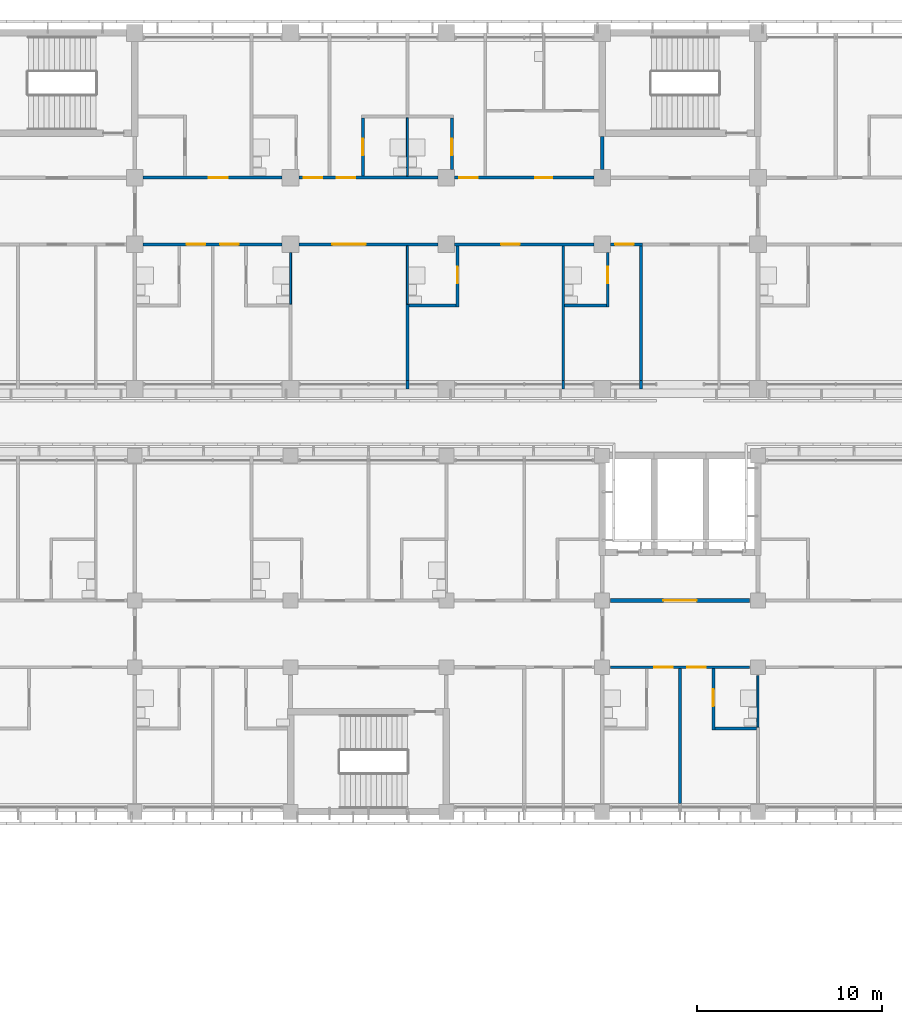
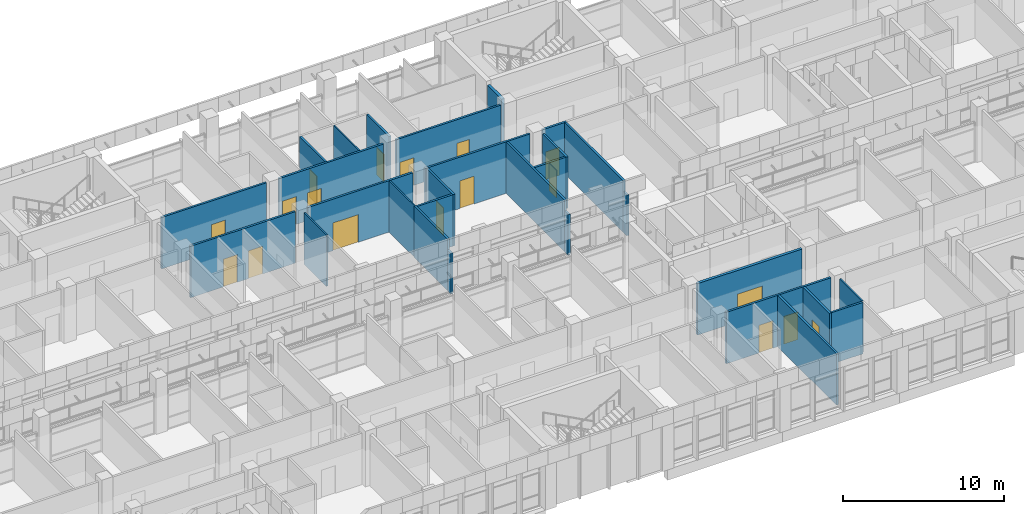
# One storey, part 81 of 137: 29 walls, 18 doors, 18 openings.
"""IFC4 building model written with IfcOpenShell, lengths in metres."""

from ifc_helpers import new_model, si_unit, direction, frame, frame_2d, origin, place, context, subcontext, project, spatial, rectangle, extrude, material, layer, layer_set, type_object, element, fill, save


model = new_model("IFC4")

# Units and contexts
model_context = context("Model", 3, precision=1e-05, world=origin(), true_north=direction((0.0, 1.0)))
body_context = subcontext(model_context, "Body", "Model", "MODEL_VIEW")
ifc_project = project(units=[si_unit("LENGTHUNIT", "METRE"), si_unit("AREAUNIT", "SQUARE_METRE"), si_unit("VOLUMEUNIT", "CUBIC_METRE"), si_unit("PLANEANGLEUNIT", "RADIAN"), si_unit("MASSUNIT", "GRAM", prefix="KILO")], contexts=[model_context])

# Site, building, storey
site_placement = place(None, origin())
site = spatial("IfcSite", under=ifc_project, at=site_placement, CompositionType="ELEMENT")
building_placement = place(site_placement, origin())
building = spatial("IfcBuilding", under=site, at=building_placement, Name="Bougainvillea Quay General Hospital", CompositionType="ELEMENT")
storey_placement = place(building_placement, frame((0.0, 0.0, 16.800048828125)))
storey = spatial("IfcBuildingStorey", under=building, at=storey_placement, Name="L03", CompositionType="ELEMENT", Elevation=16.800048828125)

# Walls
ifc_material_1 = material(Name="Gypsum board partition on steel studs", Category="steel")
ifc_layer_1 = layer(ifc_material_1, 0.10009765625)
ifc_layer_set_1 = layer_set([ifc_layer_1], Name="Gypsum board partition on steel studs")
wall_type_1 = type_object("IfcWallType", Name="Partition 100 Gypsum board partition", PredefinedType="PARTITIONING", material=ifc_layer_set_1)
for number, where, z_axis, x_axis, name in (
    (1, (142.800048828125, 122.175048828125, 0.0), (0.0, 0.0, 1.0), (0.0, 1.0, 0.0), "Partition 100 mm"),
    (2, (117.60009765625, 144.97509765625, 0.0), (0.0, 0.0, 1.0), (0.0, 1.0, 0.0), "Partition 100 mm"),
):
    element("IfcWall", number, at=place(storey_placement, frame(where, z_axis=z_axis, x_axis=x_axis)), inside=storey, type_object=wall_type_1, Name=name, PredefinedType="PARTITIONING", context=body_context, shape_type="SweptSolid", body=[
        extrude(rectangle(XDim=2.77490234375, YDim=0.10009765625, at=frame_2d((1.387451171875, 0.0))), origin(), (0.0, 0.0, 1.0), 3.89990234375),
    ])
for number, where, z_axis, x_axis, name in (
    (3, (123.89990234375, 144.97509765625, 0.0), (0.0, 0.0, 1.0), (0.0, 1.0, 0.0), "Partition 100 mm"),
    (4, (123.89990234375, 151.875, 0.0), (0.0, 0.0, 1.0), (0.0, 1.0, 0.0), "Partition 100 mm"),
):
    element("IfcWall", number, at=place(storey_placement, frame(where, z_axis=z_axis, x_axis=x_axis)), inside=storey, type_object=wall_type_1, Name=name, PredefinedType="PARTITIONING", context=body_context, shape_type="SweptSolid", body=[
        extrude(rectangle(XDim=3.14990234375, YDim=0.10009765625, at=frame_2d((1.574951171875, 0.0))), origin(), (0.0, 0.0, 1.0), 3.89990234375),
    ])
ifc_material_2 = material(Name="Gypsum board partition on steel studs, insulated", Category="steel")
ifc_layer_2 = layer(ifc_material_2, 0.14990234375)
ifc_layer_set_2 = layer_set([ifc_layer_2], Name="Gypsum board partition on steel studs, insulated")
wall_type_2 = type_object("IfcWallType", Name="Partition 150 Gypsum board partition", PredefinedType="PARTITIONING", material=ifc_layer_set_2)
wall_1_placement = place(storey_placement, frame((138.60009765625, 118.050048828125, 0.0), z_axis=(0.0, 0.0, 1.0), x_axis=(0.0, 1.0, 0.0)))
element("IfcWall", 5, at=wall_1_placement, inside=storey, type_object=wall_type_2, Name="Partition 150 mm", PredefinedType="PARTITIONING", context=body_context, shape_type="SweptSolid", body=[
    extrude(rectangle(XDim=7.27490234375, YDim=0.14990234375, at=frame_2d((3.637451171875, 0.0))), origin(), (0.0, 0.0, 1.0), 3.89990234375),
])
wall_2_placement = place(storey_placement, frame((132.300048828125, 140.39990234375, 0.0), z_axis=(0.0, 0.0, 1.0), x_axis=(0.0, 1.0, 0.0)))
element("IfcWall", 6, at=wall_2_placement, inside=storey, type_object=wall_type_2, Name="Partition 150 mm", PredefinedType="PARTITIONING", context=body_context, shape_type="SweptSolid", body=[
    extrude(rectangle(XDim=0.4501953125, YDim=0.14990234375, at=frame_2d((0.22509765625, 0.0))), origin(), (0.0, 0.0, 1.0), 3.079833984375),
])
wall_3_placement = place(storey_placement, frame((132.300048828125, 140.85009765625, 0.0), z_axis=(0.0, 0.0, 1.0), x_axis=(0.0, 1.0, 0.0)))
element("IfcWall", 7, at=wall_3_placement, inside=storey, type_object=wall_type_2, Name="Partition 150 mm", PredefinedType="PARTITIONING", context=body_context, shape_type="SweptSolid", body=[
    extrude(rectangle(XDim=7.27490234375, YDim=0.14990234375, at=frame_2d((3.637451171875, 0.0))), origin(), (0.0, 0.0, 1.0), 3.89990234375),
])
wall_4_placement = place(storey_placement, frame((136.5, 140.39990234375, 0.0), z_axis=(0.0, 0.0, 1.0), x_axis=(0.0, 1.0, 0.0)))
element("IfcWall", 8, at=wall_4_placement, inside=storey, type_object=wall_type_2, Name="Partition 150 mm", PredefinedType="PARTITIONING", context=body_context, shape_type="SweptSolid", body=[
    extrude(rectangle(XDim=0.4501953125, YDim=0.14990234375, at=frame_2d((0.22509765625, 0.0))), origin(), (0.0, 0.0, 1.0), 3.079833984375),
])
wall_5_placement = place(storey_placement, frame((136.5, 140.85009765625, 0.0), z_axis=(0.0, 0.0, 1.0), x_axis=(0.0, 1.0, 0.0)))
element("IfcWall", 9, at=wall_5_placement, inside=storey, type_object=wall_type_2, Name="Partition 150 mm", PredefinedType="PARTITIONING", context=body_context, shape_type="SweptSolid", body=[
    extrude(rectangle(XDim=7.27490234375, YDim=0.14990234375, at=frame_2d((3.637451171875, 0.0))), origin(), (0.0, 0.0, 1.0), 3.89990234375),
])
wall_6_placement = place(storey_placement, frame((123.89990234375, 140.39990234375, 0.0), z_axis=(0.0, 0.0, 1.0), x_axis=(0.0, 1.0, 0.0)))
element("IfcWall", 10, at=wall_6_placement, inside=storey, type_object=wall_type_2, Name="Partition 150 mm", PredefinedType="PARTITIONING", context=body_context, shape_type="SweptSolid", body=[
    extrude(rectangle(XDim=0.4501953125, YDim=0.14990234375, at=frame_2d((0.22509765625, 0.0))), origin(), (0.0, 0.0, 1.0), 3.079833984375),
])
wall_7_placement = place(storey_placement, frame((123.89990234375, 140.85009765625, 0.0), z_axis=(0.0, 0.0, 1.0), x_axis=(0.0, 1.0, 0.0)))
element("IfcWall", 11, at=wall_7_placement, inside=storey, type_object=wall_type_2, Name="Partition 150 mm", PredefinedType="PARTITIONING", context=body_context, shape_type="SweptSolid", body=[
    extrude(rectangle(XDim=4.125, YDim=0.14990234375, at=frame_2d((2.0625, 0.0))), origin(), (0.0, 0.0, 1.0), 3.89990234375),
])

# Wall, opening, door
wall_8_placement = place(storey_placement, frame((140.39990234375, 122.02490234375, 0.0), z_axis=(0.0, 0.0, 1.0), x_axis=(0.0, 1.0, 0.0)))
wall_8 = element("IfcWall", 12, at=wall_8_placement, inside=storey, type_object=wall_type_2, Name="Partition 150 mm", PredefinedType="PARTITIONING", context=body_context, shape_type="SweptSolid", body=[
    extrude(rectangle(XDim=3.300048828125, YDim=0.14990234375, at=frame_2d((1.64990234375, 0.0))), origin(), (0.0, 0.0, 1.0), 3.89990234375),
])
opening_1_placement = place(wall_8_placement, frame((1.27490234375, 0.0, 0.0)))
opening_1 = element("IfcOpeningElement", 13, at=opening_1_placement, cuts=wall_8, Name="Opening L03.118", PredefinedType="OPENING", context=body_context, shape_type="SweptSolid", body=[
    extrude(rectangle(XDim=0.89990234375, YDim=2.10009765625, at=frame_2d((0.449951171875, 1.050048828125))), frame((0.0, 0.0849609375, 0.0), z_axis=(0.0, -1.0, 0.0), x_axis=(1.0, 0.0, 0.0)), (0.0, 0.0, 1.0), 0.169921875),
])
ifc_material_3 = material(Name="Solid-core timber door leaf in steel frame", Category="steel")
door_type_1 = type_object("IfcDoorType", Name="Single leaf door 900x2100", OperationType="NOTDEFINED", PredefinedType="DOOR", material=ifc_material_3)
door_1_placement = place(opening_1_placement, frame((0.89990234375, 0.0, 0.0), z_axis=(0.0, 0.0, 1.0), x_axis=(-1.0, 0.0, 0.0)))
door_1 = element("IfcDoor", 14, at=door_1_placement, inside=storey, type_object=door_type_1, Name="DT07 L03.118", OperationType="SINGLE_SWING_LEFT", OverallHeight=2.10009765625, OverallWidth=0.89990234375, PredefinedType="DOOR", context=body_context, shape_type="SweptSolid", body=[
    extrude(rectangle(XDim=0.89990234375, YDim=2.10009765625, at=frame_2d((0.449951171875, 1.050048828125))), frame((0.0, 0.02490234375, 0.0), z_axis=(0.0, -1.0, 0.0), x_axis=(1.0, 0.0, 0.0)), (0.0, 0.0, 1.0), 0.050048828125),
])
fill(opening_1, door_1)

wall_9_placement = place(storey_placement, frame((121.5, 151.875, 0.0), z_axis=(0.0, 0.0, 1.0), x_axis=(0.0, 1.0, 0.0)))
wall_9 = element("IfcWall", 15, at=wall_9_placement, inside=storey, type_object=wall_type_2, Name="Partition 150 mm", PredefinedType="PARTITIONING", context=body_context, shape_type="SweptSolid", body=[
    extrude(rectangle(XDim=3.14990234375, YDim=0.14990234375, at=frame_2d((1.574951171875, 0.0))), origin(), (0.0, 0.0, 1.0), 3.89990234375),
])
opening_2_placement = place(wall_9_placement, frame((1.125, 0.0, 0.0)))
opening_2 = element("IfcOpeningElement", 16, at=opening_2_placement, cuts=wall_9, Name="Opening L03.046", PredefinedType="OPENING", context=body_context, shape_type="SweptSolid", body=[
    extrude(rectangle(XDim=0.89990234375, YDim=2.10009765625, at=frame_2d((0.449951171875, 1.050048828125))), frame((0.0, 0.0849609375, 0.0), z_axis=(0.0, -1.0, 0.0), x_axis=(1.0, 0.0, 0.0)), (0.0, 0.0, 1.0), 0.169921875),
])
door_2_placement = place(opening_2_placement, frame((0.89990234375, 0.0, 0.0), z_axis=(0.0, 0.0, 1.0), x_axis=(-1.0, 0.0, 0.0)))
door_2 = element("IfcDoor", 17, at=door_2_placement, inside=storey, type_object=door_type_1, Name="DT07 L03.046", OperationType="SINGLE_SWING_LEFT", OverallHeight=2.10009765625, OverallWidth=0.89990234375, PredefinedType="DOOR", context=body_context, shape_type="SweptSolid", body=[
    extrude(rectangle(XDim=0.89990234375, YDim=2.10009765625, at=frame_2d((0.449951171875, 1.050048828125))), frame((0.0, 0.02490234375, 0.0), z_axis=(0.0, -1.0, 0.0), x_axis=(1.0, 0.0, 0.0)), (0.0, 0.0, 1.0), 0.050048828125),
])
fill(opening_2, door_2)

wall_10_placement = place(storey_placement, frame((126.300048828125, 152.25, 0.0), z_axis=(0.0, 0.0, 1.0), x_axis=(0.0, 1.0, 0.0)))
wall_10 = element("IfcWall", 18, at=wall_10_placement, inside=storey, type_object=wall_type_2, Name="Partition 150 mm", PredefinedType="PARTITIONING", context=body_context, shape_type="SweptSolid", body=[
    extrude(rectangle(XDim=2.77490234375, YDim=0.14990234375, at=frame_2d((1.387451171875, 0.0))), origin(), (0.0, 0.0, 1.0), 3.89990234375),
])
opening_3_placement = place(wall_10_placement, frame((0.75, 0.0, 0.0)))
opening_3 = element("IfcOpeningElement", 19, at=opening_3_placement, cuts=wall_10, Name="Opening L03.048", PredefinedType="OPENING", context=body_context, shape_type="SweptSolid", body=[
    extrude(rectangle(XDim=0.89990234375, YDim=2.10009765625, at=frame_2d((0.449951171875, 1.050048828125))), frame((0.0, 0.0849609375, 0.0), z_axis=(0.0, -1.0, 0.0), x_axis=(1.0, 0.0, 0.0)), (0.0, 0.0, 1.0), 0.169921875),
])
door_3_placement = place(opening_3_placement, origin())
door_3 = element("IfcDoor", 20, at=door_3_placement, inside=storey, type_object=door_type_1, Name="DT07 L03.048", OperationType="SINGLE_SWING_LEFT", OverallHeight=2.10009765625, OverallWidth=0.89990234375, PredefinedType="DOOR", context=body_context, shape_type="SweptSolid", body=[
    extrude(rectangle(XDim=0.89990234375, YDim=2.10009765625, at=frame_2d((0.449951171875, 1.050048828125))), frame((0.0, 0.02490234375, 0.0), z_axis=(0.0, -1.0, 0.0), x_axis=(1.0, 0.0, 0.0)), (0.0, 0.0, 1.0), 0.050048828125),
])
fill(opening_3, door_3)

wall_11_placement = place(storey_placement, frame((126.60009765625, 144.824951171875, 0.0), z_axis=(0.0, 0.0, 1.0), x_axis=(0.0, 1.0, 0.0)))
wall_11 = element("IfcWall", 21, at=wall_11_placement, inside=storey, type_object=wall_type_2, Name="Partition 150 mm", PredefinedType="PARTITIONING", context=body_context, shape_type="SweptSolid", body=[
    extrude(rectangle(XDim=3.300048828125, YDim=0.14990234375, at=frame_2d((1.64990234375, 0.0))), origin(), (0.0, 0.0, 1.0), 3.89990234375),
])
opening_4_placement = place(wall_11_placement, frame((1.27490234375, 0.0, 0.0)))
opening_4 = element("IfcOpeningElement", 22, at=opening_4_placement, cuts=wall_11, Name="Opening L03.036", PredefinedType="OPENING", context=body_context, shape_type="SweptSolid", body=[
    extrude(rectangle(XDim=0.89990234375, YDim=2.10009765625, at=frame_2d((0.449951171875, 1.050048828125))), frame((0.0, 0.0849609375, 0.0), z_axis=(0.0, -1.0, 0.0), x_axis=(1.0, 0.0, 0.0)), (0.0, 0.0, 1.0), 0.169921875),
])
door_4_placement = place(opening_4_placement, origin())
door_4 = element("IfcDoor", 23, at=door_4_placement, inside=storey, type_object=door_type_1, Name="DT07 L03.036", OperationType="SINGLE_SWING_RIGHT", OverallHeight=2.10009765625, OverallWidth=0.89990234375, PredefinedType="DOOR", context=body_context, shape_type="SweptSolid", body=[
    extrude(rectangle(XDim=0.89990234375, YDim=2.10009765625, at=frame_2d((0.449951171875, 1.050048828125))), frame((0.0, 0.02490234375, 0.0), z_axis=(0.0, -1.0, 0.0), x_axis=(1.0, 0.0, 0.0)), (0.0, 0.0, 1.0), 0.050048828125),
])
fill(opening_4, door_4)

wall_12_placement = place(storey_placement, frame((134.699951171875, 144.824951171875, 0.0), z_axis=(0.0, 0.0, 1.0), x_axis=(0.0, 1.0, 0.0)))
wall_12 = element("IfcWall", 24, at=wall_12_placement, inside=storey, type_object=wall_type_2, Name="Partition 150 mm", PredefinedType="PARTITIONING", context=body_context, shape_type="SweptSolid", body=[
    extrude(rectangle(XDim=2.925048828125, YDim=0.14990234375, at=frame_2d((1.46240234375, 0.0))), origin(), (0.0, 0.0, 1.0), 3.89990234375),
])
opening_5_placement = place(wall_12_placement, frame((1.27490234375, 0.0, 0.0)))
opening_5 = element("IfcOpeningElement", 25, at=opening_5_placement, cuts=wall_12, Name="Opening L03.038", PredefinedType="OPENING", context=body_context, shape_type="SweptSolid", body=[
    extrude(rectangle(XDim=0.89990234375, YDim=2.10009765625, at=frame_2d((0.449951171875, 1.050048828125))), frame((0.0, 0.0849609375, 0.0), z_axis=(0.0, -1.0, 0.0), x_axis=(1.0, 0.0, 0.0)), (0.0, 0.0, 1.0), 0.169921875),
])
door_5_placement = place(opening_5_placement, origin())
door_5 = element("IfcDoor", 26, at=door_5_placement, inside=storey, type_object=door_type_1, Name="DT07 L03.038", OperationType="SINGLE_SWING_RIGHT", OverallHeight=2.10009765625, OverallWidth=0.89990234375, PredefinedType="DOOR", context=body_context, shape_type="SweptSolid", body=[
    extrude(rectangle(XDim=0.89990234375, YDim=2.10009765625, at=frame_2d((0.449951171875, 1.050048828125))), frame((0.0, 0.02490234375, 0.0), z_axis=(0.0, -1.0, 0.0), x_axis=(1.0, 0.0, 0.0)), (0.0, 0.0, 1.0), 0.050048828125),
])
fill(opening_5, door_5)

# Walls
wall_13_placement = place(storey_placement, frame((123.97509765625, 144.89990234375, 0.0), z_axis=(0.0, 0.0, 1.0), x_axis=(1.0, 0.0, 0.0)))
element("IfcWall", 27, at=wall_13_placement, inside=storey, type_object=wall_type_2, Name="Partition 150 mm", PredefinedType="PARTITIONING", context=body_context, shape_type="SweptSolid", body=[
    extrude(rectangle(XDim=2.5498046875, YDim=0.14990234375, at=frame_2d((1.27490234375, 0.0))), origin(), (0.0, 0.0, 1.0), 3.89990234375),
])
for number, where, z_axis, x_axis, name in (
    (28, (140.47509765625, 122.10009765625, 0.0), (0.0, 0.0, 1.0), (1.0, 0.0, 0.0), "Partition 150 mm"),
    (29, (132.375, 144.89990234375, 0.0), (0.0, 0.0, 1.0), (1.0, 0.0, 0.0), "Partition 150 mm"),
):
    element("IfcWall", number, at=place(storey_placement, frame(where, z_axis=z_axis, x_axis=x_axis)), inside=storey, type_object=wall_type_2, Name=name, PredefinedType="PARTITIONING", context=body_context, shape_type="SweptSolid", body=[
        extrude(rectangle(XDim=2.25, YDim=0.14990234375, at=frame_2d((1.125, 0.0))), origin(), (0.0, 0.0, 1.0), 3.89990234375),
    ])

# Wall, opening, door
ifc_layer_3 = layer(ifc_material_2, 0.14990234375)
ifc_layer_set_3 = layer_set([ifc_layer_3], Name="Gypsum board partition on steel studs, insulated")
wall_type_3 = type_object("IfcWallType", Name="Partition 150 Gypsum board partition EI 30", PredefinedType="PARTITIONING", material=ifc_layer_set_3)
wall_14_placement = place(storey_placement, frame((136.574951171875, 148.199951171875, 0.0), z_axis=(0.0, 0.0, 1.0), x_axis=(-1.0, 0.0, 0.0)))
wall_14 = element("IfcWall", 30, at=wall_14_placement, inside=storey, type_object=wall_type_3, Name="Partition 150 mm EI 30", PredefinedType="PARTITIONING", context=body_context, shape_type="SweptSolid", body=[
    extrude(rectangle(XDim=1.724853515625, YDim=0.14990234375, at=frame_2d((0.8623046875, 0.0))), origin(), (0.0, 0.0, 1.0), 3.89990234375),
])
opening_6_placement = place(wall_14_placement, frame((0.47509765625, 0.0, 0.0)))
opening_6 = element("IfcOpeningElement", 31, at=opening_6_placement, cuts=wall_14, Name="Opening L03.037", PredefinedType="OPENING", context=body_context, shape_type="SweptSolid", body=[
    extrude(rectangle(XDim=1.0, YDim=2.10009765625, at=frame_2d((0.5, 1.050048828125))), frame((0.0, 0.0849609375, 0.0), z_axis=(0.0, -1.0, 0.0), x_axis=(1.0, 0.0, 0.0)), (0.0, 0.0, 1.0), 0.169921875),
])
door_type_2 = type_object("IfcDoorType", Name="Single leaf door 1000x2100 FD30S", OperationType="NOTDEFINED", PredefinedType="DOOR", material=ifc_material_3)
door_6_placement = place(opening_6_placement, origin())
door_6 = element("IfcDoor", 32, at=door_6_placement, inside=storey, type_object=door_type_2, Name="DT15 L03.037", OperationType="SINGLE_SWING_RIGHT", OverallHeight=2.10009765625, OverallWidth=1.0, PredefinedType="DOOR", context=body_context, shape_type="SweptSolid", body=[
    extrude(rectangle(XDim=1.0, YDim=2.10009765625, at=frame_2d((0.5, 1.050048828125))), frame((0.0, 0.02490234375, 0.0), z_axis=(0.0, -1.0, 0.0), x_axis=(1.0, 0.0, 0.0)), (0.0, 0.0, 1.0), 0.050048828125),
])
fill(opening_6, door_6)

wall_15_placement = place(storey_placement, frame((133.949951171875, 148.199951171875, 0.0), z_axis=(0.0, 0.0, 1.0), x_axis=(-1.0, 0.0, 0.0)))
wall_15 = element("IfcWall", 33, at=wall_15_placement, inside=storey, type_object=wall_type_3, Name="Partition 150 mm EI 30", PredefinedType="PARTITIONING", context=body_context, shape_type="SweptSolid", body=[
    extrude(rectangle(XDim=7.5, YDim=0.14990234375, at=frame_2d((3.75, 0.0))), origin(), (0.0, 0.0, 1.0), 3.89990234375),
])
opening_7_placement = place(wall_15_placement, frame((4.0, 0.0, 0.0)))
opening_7 = element("IfcOpeningElement", 34, at=opening_7_placement, cuts=wall_15, Name="Opening L03.035", PredefinedType="OPENING", context=body_context, shape_type="SweptSolid", body=[
    extrude(rectangle(XDim=1.0, YDim=2.10009765625, at=frame_2d((0.5, 1.050048828125))), frame((0.0, 0.0849609375, 0.0), z_axis=(0.0, -1.0, 0.0), x_axis=(1.0, 0.0, 0.0)), (0.0, 0.0, 1.0), 0.169921875),
])
door_7_placement = place(opening_7_placement, origin())
door_7 = element("IfcDoor", 35, at=door_7_placement, inside=storey, type_object=door_type_2, Name="DT15 L03.035", OperationType="SINGLE_SWING_RIGHT", OverallHeight=2.10009765625, OverallWidth=1.0, PredefinedType="DOOR", context=body_context, shape_type="SweptSolid", body=[
    extrude(rectangle(XDim=1.0, YDim=2.10009765625, at=frame_2d((0.5, 1.050048828125))), frame((0.0, 0.02490234375, 0.0), z_axis=(0.0, -1.0, 0.0), x_axis=(1.0, 0.0, 0.0)), (0.0, 0.0, 1.0), 0.050048828125),
])
fill(opening_7, door_7)

wall_16_placement = place(storey_placement, frame((125.550048828125, 148.199951171875, 0.0), z_axis=(0.0, 0.0, 1.0), x_axis=(-1.0, 0.0, 0.0)))
wall_16 = element("IfcWall", 36, at=wall_16_placement, inside=storey, type_object=wall_type_3, Name="Partition 150 mm EI 30", PredefinedType="PARTITIONING", context=body_context, shape_type="SweptSolid", body=[
    extrude(rectangle(XDim=7.5, YDim=0.14990234375, at=frame_2d((3.75, 0.0))), origin(), (0.0, 0.0, 1.0), 3.89990234375),
])
opening_8_placement = place(wall_16_placement, frame((3.89990234375, 0.0, 0.0)))
opening_8 = element("IfcOpeningElement", 37, at=opening_8_placement, cuts=wall_16, Name="Opening L03.034", PredefinedType="OPENING", context=body_context, shape_type="SweptSolid", body=[
    extrude(rectangle(XDim=1.800048828125, YDim=2.10009765625, at=frame_2d((0.89990234375, 1.050048828125))), frame((0.0, 0.0849609375, 0.0), z_axis=(0.0, -1.0, 0.0), x_axis=(1.0, 0.0, 0.0)), (0.0, 0.0, 1.0), 0.169921875),
])
ifc_material_4 = material(Name="Solid-core timber door leaves in steel frame", Category="steel")
door_type_3 = type_object("IfcDoorType", Name="Double leaf door 1800x2100 FD30S", OperationType="DOUBLE_DOOR_SINGLE_SWING", PredefinedType="DOOR", material=ifc_material_4)
door_8_placement = place(opening_8_placement, origin())
door_8 = element("IfcDoor", 38, at=door_8_placement, inside=storey, type_object=door_type_3, Name="DT17 L03.034", OperationType="DOUBLE_DOOR_SINGLE_SWING", OverallHeight=2.10009765625, OverallWidth=1.800048828125, PredefinedType="DOOR", context=body_context, shape_type="SweptSolid", body=[
    extrude(rectangle(XDim=1.800048828125, YDim=2.10009765625, at=frame_2d((0.89990234375, 1.050048828125))), frame((0.0, 0.02490234375, 0.0), z_axis=(0.0, -1.0, 0.0), x_axis=(1.0, 0.0, 0.0)), (0.0, 0.0, 1.0), 0.050048828125),
])
fill(opening_8, door_8)

# Wall, openings, doors
wall_17_placement = place(storey_placement, frame((117.14990234375, 148.199951171875, 0.0), z_axis=(0.0, 0.0, 1.0), x_axis=(-1.0, 0.0, 0.0)))
wall_17 = element("IfcWall", 39, at=wall_17_placement, inside=storey, type_object=wall_type_3, Name="Partition 150 mm EI 30", PredefinedType="PARTITIONING", context=body_context, shape_type="SweptSolid", body=[
    extrude(rectangle(XDim=7.5, YDim=0.14990234375, at=frame_2d((3.75, 0.0))), origin(), (0.0, 0.0, 1.0), 3.89990234375),
])
opening_9_placement = place(wall_17_placement, frame((4.14990234375, 0.0, 0.0)))
opening_9 = element("IfcOpeningElement", 40, at=opening_9_placement, cuts=wall_17, Name="Opening L03.030", PredefinedType="OPENING", context=body_context, shape_type="SweptSolid", body=[
    extrude(rectangle(XDim=1.0, YDim=2.10009765625, at=frame_2d((0.5, 1.050048828125))), frame((0.0, 0.0849609375, 0.0), z_axis=(0.0, -1.0, 0.0), x_axis=(1.0, 0.0, 0.0)), (0.0, 0.0, 1.0), 0.169921875),
])
opening_10_placement = place(wall_17_placement, frame((2.35009765625, 0.0, 0.0)))
opening_10 = element("IfcOpeningElement", 41, at=opening_10_placement, cuts=wall_17, Name="Opening L03.032", PredefinedType="OPENING", context=body_context, shape_type="SweptSolid", body=[
    extrude(rectangle(XDim=1.0, YDim=2.10009765625, at=frame_2d((0.5, 1.050048828125))), frame((0.0, 0.0849609375, 0.0), z_axis=(0.0, -1.0, 0.0), x_axis=(1.0, 0.0, 0.0)), (0.0, 0.0, 1.0), 0.169921875),
])
door_9_placement = place(opening_9_placement, origin())
door_9 = element("IfcDoor", 42, at=door_9_placement, inside=storey, type_object=door_type_2, Name="DT15 L03.030", OperationType="SINGLE_SWING_RIGHT", OverallHeight=2.10009765625, OverallWidth=1.0, PredefinedType="DOOR", context=body_context, shape_type="SweptSolid", body=[
    extrude(rectangle(XDim=1.0, YDim=2.10009765625, at=frame_2d((0.5, 1.050048828125))), frame((0.0, 0.02490234375, 0.0), z_axis=(0.0, -1.0, 0.0), x_axis=(1.0, 0.0, 0.0)), (0.0, 0.0, 1.0), 0.050048828125),
])
fill(opening_9, door_9)
door_10_placement = place(opening_10_placement, origin())
door_10 = element("IfcDoor", 43, at=door_10_placement, inside=storey, type_object=door_type_2, Name="DT15 L03.032", OperationType="SINGLE_SWING_LEFT", OverallHeight=2.10009765625, OverallWidth=1.0, PredefinedType="DOOR", context=body_context, shape_type="SweptSolid", body=[
    extrude(rectangle(XDim=1.0, YDim=2.10009765625, at=frame_2d((0.5, 1.050048828125))), frame((0.0, 0.02490234375, 0.0), z_axis=(0.0, -1.0, 0.0), x_axis=(1.0, 0.0, 0.0)), (0.0, 0.0, 1.0), 0.050048828125),
])
fill(opening_10, door_10)

wall_18_placement = place(storey_placement, frame((133.949951171875, 151.800048828125, 0.0), z_axis=(0.0, 0.0, 1.0), x_axis=(-1.0, 0.0, 0.0)))
wall_18 = element("IfcWall", 44, at=wall_18_placement, inside=storey, type_object=wall_type_3, Name="Partition 150 mm EI 30", PredefinedType="PARTITIONING", context=body_context, shape_type="SweptSolid", body=[
    extrude(rectangle(XDim=7.5, YDim=0.14990234375, at=frame_2d((3.75, 0.0))), origin(), (0.0, 0.0, 1.0), 3.89990234375),
])
opening_11_placement = place(wall_18_placement, frame((6.25, 0.0, 0.0)))
opening_11 = element("IfcOpeningElement", 45, at=opening_11_placement, cuts=wall_18, Name="Opening L03.047", PredefinedType="OPENING", context=body_context, shape_type="SweptSolid", body=[
    extrude(rectangle(XDim=1.0, YDim=2.10009765625, at=frame_2d((0.5, 1.050048828125))), frame((0.0, 0.0849609375, 0.0), z_axis=(0.0, -1.0, 0.0), x_axis=(1.0, 0.0, 0.0)), (0.0, 0.0, 1.0), 0.169921875),
])
opening_12_placement = place(wall_18_placement, frame((2.25, 0.0, 0.0)))
opening_12 = element("IfcOpeningElement", 46, at=opening_12_placement, cuts=wall_18, Name="Opening L03.049", PredefinedType="OPENING", context=body_context, shape_type="SweptSolid", body=[
    extrude(rectangle(XDim=0.89990234375, YDim=2.10009765625, at=frame_2d((0.449951171875, 1.050048828125))), frame((0.0, 0.0849609375, 0.0), z_axis=(0.0, -1.0, 0.0), x_axis=(1.0, 0.0, 0.0)), (0.0, 0.0, 1.0), 0.169921875),
])
door_11_placement = place(opening_11_placement, frame((1.0, 0.0, 0.0), z_axis=(0.0, 0.0, 1.0), x_axis=(-1.0, 0.0, 0.0)))
door_11 = element("IfcDoor", 47, at=door_11_placement, inside=storey, type_object=door_type_2, Name="DT15 L03.047", OperationType="SINGLE_SWING_LEFT", OverallHeight=2.10009765625, OverallWidth=1.0, PredefinedType="DOOR", context=body_context, shape_type="SweptSolid", body=[
    extrude(rectangle(XDim=1.0, YDim=2.10009765625, at=frame_2d((0.5, 1.050048828125))), frame((0.0, 0.02490234375, 0.0), z_axis=(0.0, -1.0, 0.0), x_axis=(1.0, 0.0, 0.0)), (0.0, 0.0, 1.0), 0.050048828125),
])
fill(opening_11, door_11)
door_type_4 = type_object("IfcDoorType", Name="Single leaf door 900x2100 FD60", OperationType="NOTDEFINED", PredefinedType="DOOR", material=ifc_material_3)
door_12_placement = place(opening_12_placement, frame((0.89990234375, 0.0, 0.0), z_axis=(0.0, 0.0, 1.0), x_axis=(-1.0, 0.0, 0.0)))
door_12 = element("IfcDoor", 48, at=door_12_placement, inside=storey, type_object=door_type_4, Name="DT18 L03.049", OperationType="SINGLE_SWING_RIGHT", OverallHeight=2.10009765625, OverallWidth=0.89990234375, PredefinedType="DOOR", context=body_context, shape_type="SweptSolid", body=[
    extrude(rectangle(XDim=0.89990234375, YDim=2.10009765625, at=frame_2d((0.449951171875, 1.050048828125))), frame((0.0, 0.02490234375, 0.0), z_axis=(0.0, -1.0, 0.0), x_axis=(1.0, 0.0, 0.0)), (0.0, 0.0, 1.0), 0.050048828125),
])
fill(opening_12, door_12)

wall_19_placement = place(storey_placement, frame((125.550048828125, 151.800048828125, 0.0), z_axis=(0.0, 0.0, 1.0), x_axis=(-1.0, 0.0, 0.0)))
wall_19 = element("IfcWall", 49, at=wall_19_placement, inside=storey, type_object=wall_type_3, Name="Partition 150 mm EI 30", PredefinedType="PARTITIONING", context=body_context, shape_type="SweptSolid", body=[
    extrude(rectangle(XDim=7.5, YDim=0.14990234375, at=frame_2d((3.75, 0.0))), origin(), (0.0, 0.0, 1.0), 3.89990234375),
])
opening_13_placement = place(wall_19_placement, frame((6.25, 0.0, 0.0)))
opening_13 = element("IfcOpeningElement", 50, at=opening_13_placement, cuts=wall_19, Name="Opening L03.043", PredefinedType="OPENING", context=body_context, shape_type="SweptSolid", body=[
    extrude(rectangle(XDim=1.0, YDim=2.10009765625, at=frame_2d((0.5, 1.050048828125))), frame((0.0, 0.0849609375, 0.0), z_axis=(0.0, -1.0, 0.0), x_axis=(1.0, 0.0, 0.0)), (0.0, 0.0, 1.0), 0.169921875),
])
opening_14_placement = place(wall_19_placement, frame((4.449951171875, 0.0, 0.0)))
opening_14 = element("IfcOpeningElement", 51, at=opening_14_placement, cuts=wall_19, Name="Opening L03.045", PredefinedType="OPENING", context=body_context, shape_type="SweptSolid", body=[
    extrude(rectangle(XDim=1.0, YDim=2.10009765625, at=frame_2d((0.5, 1.050048828125))), frame((0.0, 0.0849609375, 0.0), z_axis=(0.0, -1.0, 0.0), x_axis=(1.0, 0.0, 0.0)), (0.0, 0.0, 1.0), 0.169921875),
])
door_13_placement = place(opening_13_placement, frame((1.0, 0.0, 0.0), z_axis=(0.0, 0.0, 1.0), x_axis=(-1.0, 0.0, 0.0)))
door_13 = element("IfcDoor", 52, at=door_13_placement, inside=storey, type_object=door_type_2, Name="DT15 L03.043", OperationType="SINGLE_SWING_LEFT", OverallHeight=2.10009765625, OverallWidth=1.0, PredefinedType="DOOR", context=body_context, shape_type="SweptSolid", body=[
    extrude(rectangle(XDim=1.0, YDim=2.10009765625, at=frame_2d((0.5, 1.050048828125))), frame((0.0, 0.02490234375, 0.0), z_axis=(0.0, -1.0, 0.0), x_axis=(1.0, 0.0, 0.0)), (0.0, 0.0, 1.0), 0.050048828125),
])
fill(opening_13, door_13)
door_14_placement = place(opening_14_placement, frame((1.0, 0.0, 0.0), z_axis=(0.0, 0.0, 1.0), x_axis=(-1.0, 0.0, 0.0)))
door_14 = element("IfcDoor", 53, at=door_14_placement, inside=storey, type_object=door_type_2, Name="DT15 L03.045", OperationType="SINGLE_SWING_LEFT", OverallHeight=2.10009765625, OverallWidth=1.0, PredefinedType="DOOR", context=body_context, shape_type="SweptSolid", body=[
    extrude(rectangle(XDim=1.0, YDim=2.10009765625, at=frame_2d((0.5, 1.050048828125))), frame((0.0, 0.02490234375, 0.0), z_axis=(0.0, -1.0, 0.0), x_axis=(1.0, 0.0, 0.0)), (0.0, 0.0, 1.0), 0.050048828125),
])
fill(opening_14, door_14)

# Wall, opening, door
wall_20_placement = place(storey_placement, frame((117.14990234375, 151.800048828125, 0.0), z_axis=(0.0, 0.0, 1.0), x_axis=(-1.0, 0.0, 0.0)))
wall_20 = element("IfcWall", 54, at=wall_20_placement, inside=storey, type_object=wall_type_3, Name="Partition 150 mm EI 30", PredefinedType="PARTITIONING", context=body_context, shape_type="SweptSolid", body=[
    extrude(rectangle(XDim=7.5, YDim=0.14990234375, at=frame_2d((3.75, 0.0))), origin(), (0.0, 0.0, 1.0), 3.89990234375),
])
opening_15_placement = place(wall_20_placement, frame((2.949951171875, 0.0, 0.0)))
opening_15 = element("IfcOpeningElement", 55, at=opening_15_placement, cuts=wall_20, Name="Opening L03.041", PredefinedType="OPENING", context=body_context, shape_type="SweptSolid", body=[
    extrude(rectangle(XDim=1.0, YDim=2.10009765625, at=frame_2d((0.5, 1.050048828125))), frame((0.0, 0.0849609375, 0.0), z_axis=(0.0, -1.0, 0.0), x_axis=(1.0, 0.0, 0.0)), (0.0, 0.0, 1.0), 0.169921875),
])
door_15_placement = place(opening_15_placement, frame((1.0, 0.0, 0.0), z_axis=(0.0, 0.0, 1.0), x_axis=(-1.0, 0.0, 0.0)))
door_15 = element("IfcDoor", 56, at=door_15_placement, inside=storey, type_object=door_type_2, Name="DT15 L03.041", OperationType="SINGLE_SWING_RIGHT", OverallHeight=2.10009765625, OverallWidth=1.0, PredefinedType="DOOR", context=body_context, shape_type="SweptSolid", body=[
    extrude(rectangle(XDim=1.0, YDim=2.10009765625, at=frame_2d((0.5, 1.050048828125))), frame((0.0, 0.02490234375, 0.0), z_axis=(0.0, -1.0, 0.0), x_axis=(1.0, 0.0, 0.0)), (0.0, 0.0, 1.0), 0.050048828125),
])
fill(opening_15, door_15)

# Wall, openings, doors
wall_21_placement = place(storey_placement, frame((142.35009765625, 125.39990234375, 0.0), z_axis=(0.0, 0.0, 1.0), x_axis=(-1.0, 0.0, 0.0)))
wall_21 = element("IfcWall", 57, at=wall_21_placement, inside=storey, type_object=wall_type_3, Name="Partition 150 mm EI 30", PredefinedType="PARTITIONING", context=body_context, shape_type="SweptSolid", body=[
    extrude(rectangle(XDim=7.5, YDim=0.14990234375, at=frame_2d((3.75, 0.0))), origin(), (0.0, 0.0, 1.0), 3.89990234375),
])
opening_16_placement = place(wall_21_placement, frame((4.14990234375, 0.0, 0.0)))
opening_16 = element("IfcOpeningElement", 58, at=opening_16_placement, cuts=wall_21, Name="Opening L03.115", PredefinedType="OPENING", context=body_context, shape_type="SweptSolid", body=[
    extrude(rectangle(XDim=1.0, YDim=2.10009765625, at=frame_2d((0.5, 1.050048828125))), frame((0.0, 0.0849609375, 0.0), z_axis=(0.0, -1.0, 0.0), x_axis=(1.0, 0.0, 0.0)), (0.0, 0.0, 1.0), 0.169921875),
])
opening_17_placement = place(wall_21_placement, frame((2.35009765625, 0.0, 0.0)))
opening_17 = element("IfcOpeningElement", 59, at=opening_17_placement, cuts=wall_21, Name="Opening L03.117", PredefinedType="OPENING", context=body_context, shape_type="SweptSolid", body=[
    extrude(rectangle(XDim=1.0, YDim=2.10009765625, at=frame_2d((0.5, 1.050048828125))), frame((0.0, 0.0849609375, 0.0), z_axis=(0.0, -1.0, 0.0), x_axis=(1.0, 0.0, 0.0)), (0.0, 0.0, 1.0), 0.169921875),
])
door_16_placement = place(opening_16_placement, origin())
door_16 = element("IfcDoor", 60, at=door_16_placement, inside=storey, type_object=door_type_2, Name="DT15 L03.115", OperationType="SINGLE_SWING_RIGHT", OverallHeight=2.10009765625, OverallWidth=1.0, PredefinedType="DOOR", context=body_context, shape_type="SweptSolid", body=[
    extrude(rectangle(XDim=1.0, YDim=2.10009765625, at=frame_2d((0.5, 1.050048828125))), frame((0.0, 0.02490234375, 0.0), z_axis=(0.0, -1.0, 0.0), x_axis=(1.0, 0.0, 0.0)), (0.0, 0.0, 1.0), 0.050048828125),
])
fill(opening_16, door_16)
door_17_placement = place(opening_17_placement, origin())
door_17 = element("IfcDoor", 61, at=door_17_placement, inside=storey, type_object=door_type_2, Name="DT15 L03.117", OperationType="SINGLE_SWING_LEFT", OverallHeight=2.10009765625, OverallWidth=1.0, PredefinedType="DOOR", context=body_context, shape_type="SweptSolid", body=[
    extrude(rectangle(XDim=1.0, YDim=2.10009765625, at=frame_2d((0.5, 1.050048828125))), frame((0.0, 0.02490234375, 0.0), z_axis=(0.0, -1.0, 0.0), x_axis=(1.0, 0.0, 0.0)), (0.0, 0.0, 1.0), 0.050048828125),
])
fill(opening_17, door_17)

# Wall, opening, door
ifc_material_5 = material(Name="Fire-rated autoclaved aerated block wall, plastered")
ifc_layer_4 = layer(ifc_material_5, 0.199951171875)
ifc_layer_set_4 = layer_set([ifc_layer_4], Name="Fire-rated autoclaved aerated block wall, plastered")
wall_type_4 = type_object("IfcWallType", Name="Partition 200 Fire-rated autoclaved aerated block wall EI 120", PredefinedType="SOLIDWALL", material=ifc_layer_set_4)
wall_22_placement = place(storey_placement, frame((134.85009765625, 129.0, 0.0), z_axis=(0.0, 0.0, 1.0), x_axis=(1.0, 0.0, 0.0)))
wall_22 = element("IfcWall", 62, at=wall_22_placement, inside=storey, type_object=wall_type_4, Name="Partition 200 mm EI 120", PredefinedType="SOLIDWALL", context=body_context, shape_type="SweptSolid", body=[
    extrude(rectangle(XDim=7.5, YDim=0.199951171875, at=frame_2d((3.75, 0.0))), origin(), (0.0, 0.0, 1.0), 3.89990234375),
])
opening_18_placement = place(wall_22_placement, frame((2.85009765625, 0.0, 0.0)))
opening_18 = element("IfcOpeningElement", 63, at=opening_18_placement, cuts=wall_22, Name="Opening L03.137", PredefinedType="OPENING", context=body_context, shape_type="SweptSolid", body=[
    extrude(rectangle(XDim=1.800048828125, YDim=2.10009765625, at=frame_2d((0.89990234375, 1.050048828125))), frame((0.0, 0.10986328125, 0.0), z_axis=(0.0, -1.0, 0.0), x_axis=(1.0, 0.0, 0.0)), (0.0, 0.0, 1.0), 0.219970703125),
])
ifc_material_6 = material(Name="Steel fire door leaves in steel frame", Category="steel")
door_type_5 = type_object("IfcDoorType", Name="Steel double leaf door 1800x2100 FD60", OperationType="DOUBLE_DOOR_SINGLE_SWING", PredefinedType="DOOR", material=ifc_material_6)
door_18_placement = place(opening_18_placement, origin())
door_18 = element("IfcDoor", 64, at=door_18_placement, inside=storey, type_object=door_type_5, Name="DT05 L03.137", OperationType="DOUBLE_DOOR_SINGLE_SWING", OverallHeight=2.10009765625, OverallWidth=1.800048828125, PredefinedType="DOOR", context=body_context, shape_type="SweptSolid", body=[
    extrude(rectangle(XDim=1.800048828125, YDim=2.10009765625, at=frame_2d((0.89990234375, 1.050048828125))), frame((0.0, 0.02490234375, 0.0), z_axis=(0.0, -1.0, 0.0), x_axis=(1.0, 0.0, 0.0)), (0.0, 0.0, 1.0), 0.050048828125),
])
fill(opening_18, door_18)

# Wall
wall_23_placement = place(storey_placement, frame((134.39990234375, 152.25, 0.0), z_axis=(0.0, 0.0, 1.0), x_axis=(0.0, 1.0, 0.0)))
element("IfcWall", 65, at=wall_23_placement, inside=storey, type_object=wall_type_4, Name="Partition 200 mm EI 120", PredefinedType="SOLIDWALL", context=body_context, shape_type="SweptSolid", body=[
    extrude(rectangle(XDim=1.77490234375, YDim=0.199951171875, at=frame_2d((0.887451171875, 0.0))), origin(), (0.0, 0.0, 1.0), 3.89990234375),
])

save(model, "model.ifc")
